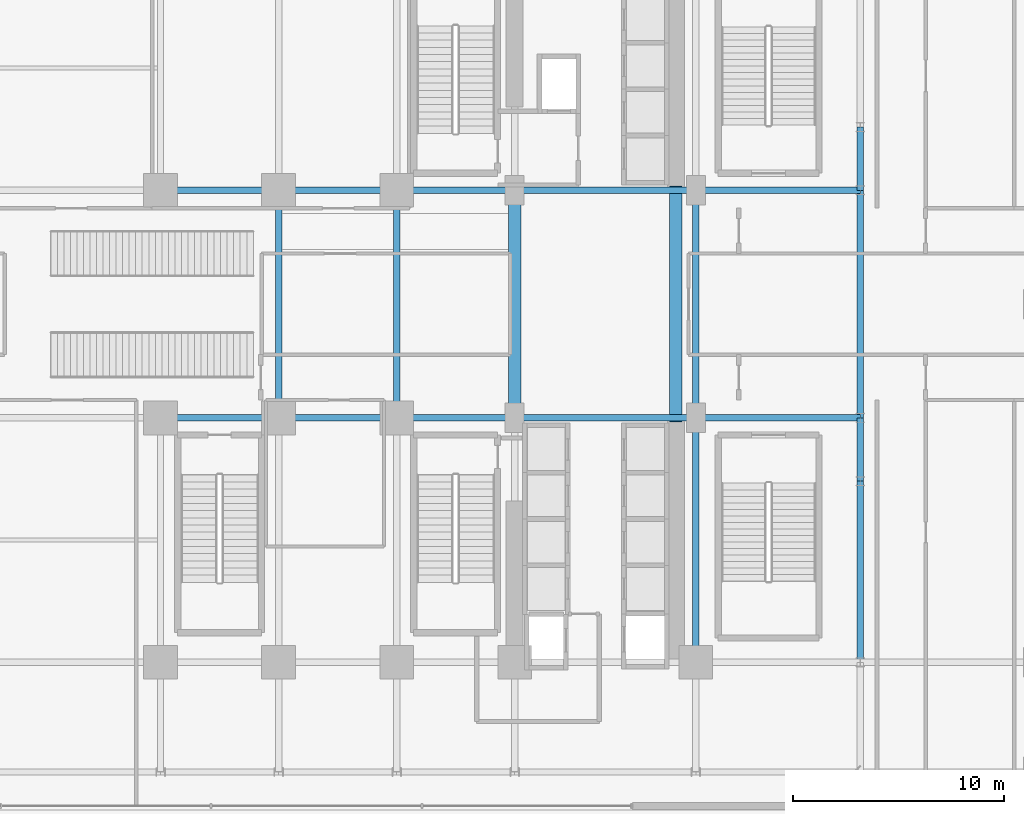
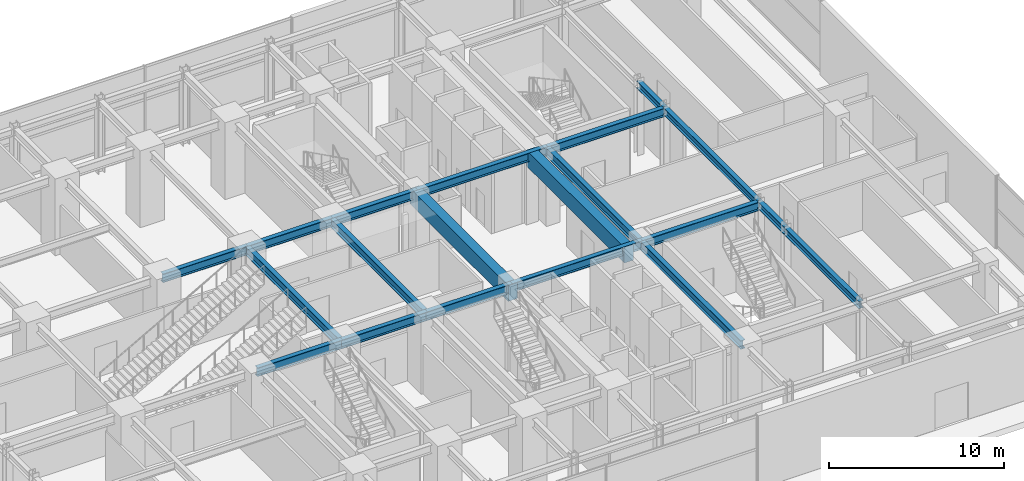
# One storey, part 10 of 29: 20 beams.
"""IFC4 building model written with IfcOpenShell, lengths in metres."""

from ifc_helpers import new_model, si_unit, direction, frame, origin, origin_2d, place, context, subcontext, project, spatial, rectangle, i_section, extrude, source, transform, mapped, material, material_profile, profile_set, type_object, element, save


model = new_model("IFC4")

# Units and contexts
model_context = context("Model", 3, precision=1e-05, world=origin(), true_north=direction((0.0, 1.0)))
body_context = subcontext(model_context, "Body", "Model", "MODEL_VIEW")
ifc_project = project(units=[si_unit("LENGTHUNIT", "METRE"), si_unit("AREAUNIT", "SQUARE_METRE"), si_unit("VOLUMEUNIT", "CUBIC_METRE"), si_unit("PLANEANGLEUNIT", "RADIAN"), si_unit("MASSUNIT", "GRAM", prefix="KILO")], contexts=[model_context])

# Site, building, storey
site_placement = place(None, origin())
site = spatial("IfcSite", under=ifc_project, at=site_placement, CompositionType="ELEMENT")
building_placement = place(site_placement, origin())
building = spatial("IfcBuilding", under=site, at=building_placement, Name="Nahalor Promenade Grand Hotel", CompositionType="ELEMENT")
storey_placement = place(building_placement, origin())
storey = spatial("IfcBuildingStorey", under=building, at=storey_placement, Name="L00", CompositionType="ELEMENT", Elevation=0.0)

# Beams
ifc_material_1 = material(Name="Concrete B-60 (C50/60)", Category="concrete")
ifc_material_profile_1 = material_profile(ifc_material_1, rectangle(XDim=0.6, YDim=1.1, at=origin_2d()), Name="RC 600x1100")
ifc_profile_set_1 = profile_set([ifc_material_profile_1], Name="Concrete B-60 (C50/60)")
beam_type_1 = type_object("IfcBeamType", Name="Beam-Lintel-RC1100", PredefinedType="LINTEL", material=ifc_profile_set_1)
shared_shape_1 = source(origin(), body_context, "Body", "SweptSolid", [
    extrude(rectangle(XDim=0.6, YDim=1.1, at=origin_2d()), origin(), (0.0, 0.0, 1.0), 11.2001953125),
])
for number, where, z_axis, x_axis, name in (
    (1, (8.39990234375, -5.60009765625, 4.530029296875), (0.0, 1.0, 0.0), (-1.0, 0.0, 0.0), "BM-L00-LINT-W"),
    (2, (16.050048828125, -5.60009765625, 4.530029296875), (0.0, 1.0, 0.0), (-1.0, 0.0, 0.0), "BM-L00-LINT-E"),
):
    element("IfcBeam", number, at=place(storey_placement, frame(where, z_axis=z_axis, x_axis=x_axis)), inside=storey, type_object=beam_type_1, Name=name, PredefinedType="LINTEL", context=body_context, shape_type="MappedRepresentation", body=[
        mapped(shared_shape_1, transform((0.0, 0.0, 0.0), scale=1.0)),
    ])
ifc_material_2 = material(Name="Steel S355JR", Category="steel")
ifc_material_profile_2 = material_profile(ifc_material_2, i_section(OverallWidth=0.3, OverallDepth=0.6, WebThickness=0.0155, FlangeThickness=0.03, at=origin_2d()), Name="HEB 600")
ifc_profile_set_2 = profile_set([ifc_material_profile_2], Name="Steel S355JR")
beam_type_2 = type_object("IfcBeamType", Name="Beam-Girder-HEB600", PredefinedType="BEAM", material=ifc_profile_set_2)
shared_shape_2 = source(origin(), body_context, "Body", "SweptSolid", [
    extrude(i_section(OverallWidth=0.3, OverallDepth=0.6, WebThickness=0.0155, FlangeThickness=0.03, at=origin_2d()), origin(), (0.0, 0.0, 1.0), 7.800048828125),
])
for number, where, z_axis, x_axis, name in (
    (3, (17.0, -5.39990234375, 4.780029296875), (1.0, 0.0, 0.0), (0.0, 1.0, 0.0), "BM-L00-GX-1-6"),
    (4, (17.0, 5.39990234375, 4.780029296875), (1.0, 0.0, 0.0), (0.0, 1.0, 0.0), "BM-L00-GX-2-6"),
):
    element("IfcBeam", number, at=place(storey_placement, frame(where, z_axis=z_axis, x_axis=x_axis)), inside=storey, type_object=beam_type_2, Name=name, PredefinedType="BEAM", context=body_context, shape_type="MappedRepresentation", body=[
        mapped(shared_shape_2, transform((0.0, 0.0, 0.0), scale=1.0)),
    ])
shared_shape_3 = source(origin(), body_context, "Body", "SweptSolid", [
    extrude(i_section(OverallWidth=0.3, OverallDepth=0.6, WebThickness=0.0155, FlangeThickness=0.03, at=origin_2d()), origin(), (0.0, 0.0, 1.0), 8.60009765625),
])
for number, where, z_axis, x_axis, name in (
    (5, (8.39990234375, -5.39990234375, 4.780029296875), (1.0, 0.0, 0.0), (0.0, 1.0, 0.0), "BM-L00-GX-1-5"),
    (6, (8.39990234375, 5.39990234375, 4.780029296875), (1.0, 0.0, 0.0), (0.0, 1.0, 0.0), "BM-L00-GX-2-5"),
):
    element("IfcBeam", number, at=place(storey_placement, frame(where, z_axis=z_axis, x_axis=x_axis)), inside=storey, type_object=beam_type_2, Name=name, PredefinedType="BEAM", context=body_context, shape_type="MappedRepresentation", body=[
        mapped(shared_shape_3, transform((0.0, 0.0, 0.0), scale=1.0)),
    ])
shared_shape_4 = source(origin(), body_context, "Body", "SweptSolid", [
    extrude(i_section(OverallWidth=0.3, OverallDepth=0.6, WebThickness=0.0155, FlangeThickness=0.03, at=origin_2d()), origin(), (0.0, 0.0, 1.0), 5.599853515625),
])
for number, where, z_axis, x_axis, name in (
    (7, (-8.39990234375, -5.39990234375, 4.780029296875), (1.0, 0.0, 0.0), (0.0, 1.0, 0.0), "BM-L00-GX-1-2"),
    (8, (2.800048828125, -5.39990234375, 4.780029296875), (1.0, 0.0, 0.0), (0.0, 1.0, 0.0), "BM-L00-GX-1-4"),
    (9, (-8.39990234375, 5.39990234375, 4.780029296875), (1.0, 0.0, 0.0), (0.0, 1.0, 0.0), "BM-L00-GX-2-2"),
    (10, (2.800048828125, 5.39990234375, 4.780029296875), (1.0, 0.0, 0.0), (0.0, 1.0, 0.0), "BM-L00-GX-2-4"),
):
    element("IfcBeam", number, at=place(storey_placement, frame(where, z_axis=z_axis, x_axis=x_axis)), inside=storey, type_object=beam_type_2, Name=name, PredefinedType="BEAM", context=body_context, shape_type="MappedRepresentation", body=[
        mapped(shared_shape_4, transform((0.0, 0.0, 0.0), scale=1.0)),
    ])
shared_shape_5 = source(origin(), body_context, "Body", "SweptSolid", [
    extrude(i_section(OverallWidth=0.3, OverallDepth=0.6, WebThickness=0.0155, FlangeThickness=0.03, at=origin_2d()), origin(), (0.0, 0.0, 1.0), 5.60009765625),
])
for number, where, z_axis, x_axis, name in (
    (11, (-2.800048828125, -5.39990234375, 4.780029296875), (1.0, 0.0, 0.0), (0.0, 1.0, 0.0), "BM-L00-GX-1-3"),
    (12, (-2.800048828125, 5.39990234375, 4.780029296875), (1.0, 0.0, 0.0), (0.0, 1.0, 0.0), "BM-L00-GX-2-3"),
):
    element("IfcBeam", number, at=place(storey_placement, frame(where, z_axis=z_axis, x_axis=x_axis)), inside=storey, type_object=beam_type_2, Name=name, PredefinedType="BEAM", context=body_context, shape_type="MappedRepresentation", body=[
        mapped(shared_shape_5, transform((0.0, 0.0, 0.0), scale=1.0)),
    ])
shared_shape_6 = source(origin(), body_context, "Body", "SweptSolid", [
    extrude(i_section(OverallWidth=0.3, OverallDepth=0.6, WebThickness=0.0155, FlangeThickness=0.03, at=origin_2d()), origin(), (0.0, 0.0, 1.0), 11.60009765625),
])
beam_1_placement = place(storey_placement, frame((17.0, -17.0, 4.780029296875), z_axis=(0.0, 1.0, 0.0), x_axis=(-1.0, 0.0, 0.0)))
element("IfcBeam", 13, at=beam_1_placement, inside=storey, type_object=beam_type_2, Name="BM-L00-GY-5-1", PredefinedType="BEAM", context=body_context, shape_type="MappedRepresentation", body=[
    mapped(shared_shape_6, transform((0.0, 0.0, 0.0), scale=1.0)),
])
shared_shape_7 = source(origin(), body_context, "Body", "SweptSolid", [
    extrude(i_section(OverallWidth=0.3, OverallDepth=0.6, WebThickness=0.0155, FlangeThickness=0.03, at=origin_2d()), origin(), (0.0, 0.0, 1.0), 10.7998046875),
])
for number, where, z_axis, x_axis, name in (
    (14, (-2.800048828125, -5.39990234375, 4.780029296875), (0.0, 1.0, 0.0), (-1.0, 0.0, 0.0), "BM-L00-GY-2-2"),
    (15, (2.800048828125, -5.39990234375, 4.780029296875), (0.0, 1.0, 0.0), (-1.0, 0.0, 0.0), "BM-L00-GY-3-2"),
    (16, (17.0, -5.39990234375, 4.780029296875), (0.0, 1.0, 0.0), (-1.0, 0.0, 0.0), "BM-L00-GY-5-2"),
):
    element("IfcBeam", number, at=place(storey_placement, frame(where, z_axis=z_axis, x_axis=x_axis)), inside=storey, type_object=beam_type_2, Name=name, PredefinedType="BEAM", context=body_context, shape_type="MappedRepresentation", body=[
        mapped(shared_shape_7, transform((0.0, 0.0, 0.0), scale=1.0)),
    ])
ifc_material_profile_3 = material_profile(ifc_material_2, i_section(OverallWidth=0.3, OverallDepth=0.5, WebThickness=0.0145, FlangeThickness=0.028, at=origin_2d()), Name="HEB 500")
ifc_profile_set_3 = profile_set([ifc_material_profile_3], Name="Steel S355JR")
beam_type_3 = type_object("IfcBeamType", Name="Beam-Spandrel-HEB500", PredefinedType="SPANDREL", material=ifc_profile_set_3)
shared_shape_8 = source(origin(), body_context, "Body", "SweptSolid", [
    extrude(i_section(OverallWidth=0.3, OverallDepth=0.5, WebThickness=0.0145, FlangeThickness=0.028, at=origin_2d()), origin(), (0.0, 0.0, 1.0), 8.60009765625),
])
beam_2_placement = place(storey_placement, frame((24.800048828125, -17.0, 4.830078125), z_axis=(0.0, 1.0, 0.0), x_axis=(-1.0, 0.0, 0.0)))
element("IfcBeam", 17, at=beam_2_placement, inside=storey, type_object=beam_type_3, Name="BM-L00-SP-E-0", PredefinedType="SPANDREL", context=body_context, shape_type="MappedRepresentation", body=[
    mapped(shared_shape_8, transform((0.0, 0.0, 0.0), scale=1.0)),
])
shared_shape_9 = source(origin(), body_context, "Body", "SweptSolid", [
    extrude(i_section(OverallWidth=0.3, OverallDepth=0.5, WebThickness=0.0145, FlangeThickness=0.028, at=origin_2d()), origin(), (0.0, 0.0, 1.0), 3.0),
])
for number, where, z_axis, x_axis, name in (
    (18, (24.800048828125, -8.39990234375, 4.830078125), (0.0, 1.0, 0.0), (-1.0, 0.0, 0.0), "BM-L00-SP-E-1"),
    (19, (24.800048828125, 5.39990234375, 4.830078125), (0.0, 1.0, 0.0), (-1.0, 0.0, 0.0), "BM-L00-SP-E-3"),
):
    element("IfcBeam", number, at=place(storey_placement, frame(where, z_axis=z_axis, x_axis=x_axis)), inside=storey, type_object=beam_type_3, Name=name, PredefinedType="SPANDREL", context=body_context, shape_type="MappedRepresentation", body=[
        mapped(shared_shape_9, transform((0.0, 0.0, 0.0), scale=1.0)),
    ])
shared_shape_10 = source(origin(), body_context, "Body", "SweptSolid", [
    extrude(i_section(OverallWidth=0.3, OverallDepth=0.5, WebThickness=0.0145, FlangeThickness=0.028, at=origin_2d()), origin(), (0.0, 0.0, 1.0), 10.7998046875),
])
beam_3_placement = place(storey_placement, frame((24.800048828125, -5.39990234375, 4.830078125), z_axis=(0.0, 1.0, 0.0), x_axis=(-1.0, 0.0, 0.0)))
element("IfcBeam", 20, at=beam_3_placement, inside=storey, type_object=beam_type_3, Name="BM-L00-SP-E-2", PredefinedType="SPANDREL", context=body_context, shape_type="MappedRepresentation", body=[
    mapped(shared_shape_10, transform((0.0, 0.0, 0.0), scale=1.0)),
])

save(model, "model.ifc")
